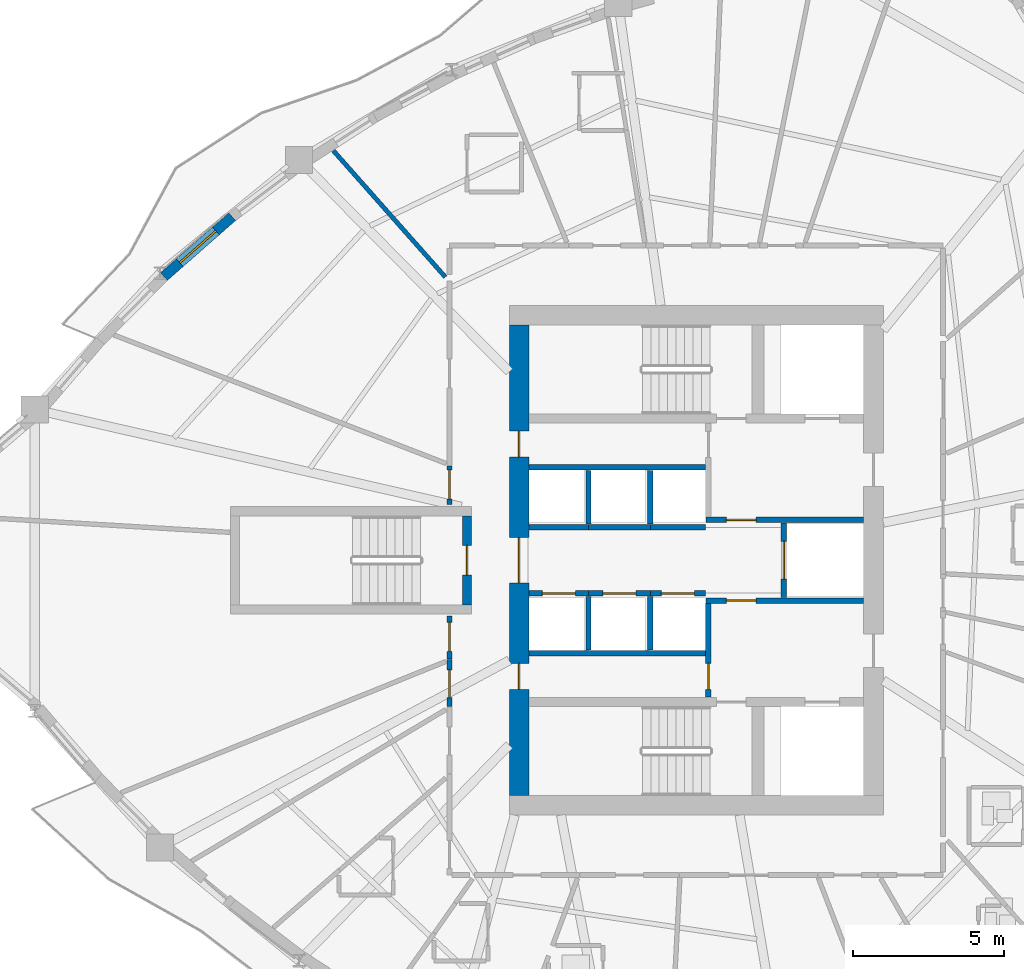
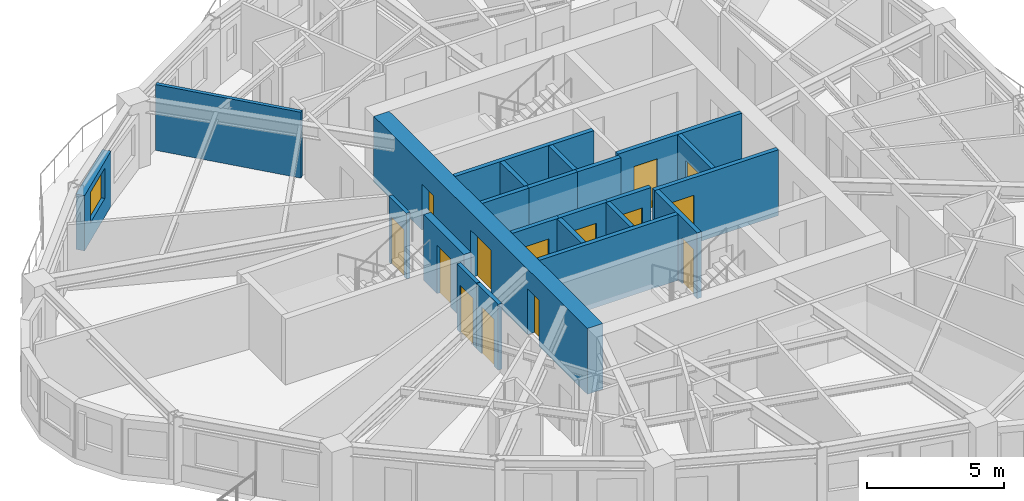
# One storey, part 5 of 13: 23 walls, 14 doors, 1 window, 15 openings.
"""IFC4 building model written with IfcOpenShell, lengths in metres."""

from ifc_helpers import new_model, si_unit, direction, frame, frame_2d, origin, place, context, subcontext, project, spatial, rectangle, extrude, source, transform, mapped, material, layer, layer_set, type_object, element, fill, save


model = new_model("IFC4")

# Units and contexts
model_context = context("Model", 3, precision=1e-05, world=origin(), true_north=direction((0.0, 1.0)))
body_context = subcontext(model_context, "Body", "Model", "MODEL_VIEW")
ifc_project = project(units=[si_unit("LENGTHUNIT", "METRE"), si_unit("AREAUNIT", "SQUARE_METRE"), si_unit("VOLUMEUNIT", "CUBIC_METRE"), si_unit("PLANEANGLEUNIT", "RADIAN"), si_unit("MASSUNIT", "GRAM", prefix="KILO")], contexts=[model_context])

# Site, building, storey
site_placement = place(None, origin())
site = spatial("IfcSite", under=ifc_project, at=site_placement, CompositionType="ELEMENT")
building_placement = place(site_placement, origin())
building = spatial("IfcBuilding", under=site, at=building_placement, Name="Qafzar Sky-Pleat Residences", CompositionType="ELEMENT")
storey_placement = place(building_placement, frame((0.0, 0.0, 105.60009765625)))
storey = spatial("IfcBuildingStorey", under=building, at=storey_placement, Name="L31", CompositionType="ELEMENT", Elevation=105.60009765625)

# Wall, opening, door
ifc_material_1 = material(Name="Acoustic gypsum plasterboard partition", Category="gypsum")
ifc_layer_1 = layer(ifc_material_1, 0.159912109375)
ifc_layer_set_1 = layer_set([ifc_layer_1], Name="Acoustic gypsum plasterboard partition")
wall_type_1 = type_object("IfcWallType", Name="PART-COR-160", PredefinedType="PARTITIONING", material=ifc_layer_set_1)
wall_1_placement = place(storey_placement, frame((22.169921875, 21.156005859375, 0.0), z_axis=(0.0, 0.0, 1.0), x_axis=(0.0, 1.0, 0.0)))
wall_1 = element("IfcWall", 1, at=wall_1_placement, inside=storey, type_object=wall_type_1, Name="L31 Partition Wall PART-L31-PW-025", PredefinedType="PARTITIONING", context=body_context, shape_type="SweptSolid", body=[
    extrude(rectangle(XDim=1.554931640625, YDim=0.159912109375, at=frame_2d((0.77734375, 0.0))), origin(), (0.0, 0.0, 1.0), 2.934814453125),
])
opening_1_placement = place(wall_1_placement, frame((0.29345703125, 0.0, 0.0)))
opening_1 = element("IfcOpeningElement", 2, at=opening_1_placement, cuts=wall_1, Name="Opening ID-04", PredefinedType="OPENING", context=body_context, shape_type="SweptSolid", body=[
    extrude(rectangle(XDim=0.919921875, YDim=2.10009765625, at=frame_2d((0.4599609375, 1.050048828125))), frame((0.0, 0.08984375, 0.0), z_axis=(0.0, -1.0, 0.0), x_axis=(1.0, 0.0, 0.0)), (0.0, 0.0, 1.0), 0.179931640625),
])
ifc_material_2 = material(Name="Timber-faced fire door", Category="wood")
door_type_1 = type_object("IfcDoorType", Name="DR-BED-920", OperationType="NOTDEFINED", PredefinedType="DOOR", material=ifc_material_2)
shared_shape_1 = source(origin(), body_context, "Body", "SweptSolid", [
    extrude(rectangle(XDim=0.919921875, YDim=2.10009765625, at=frame_2d((0.4599609375, 1.050048828125))), frame((0.0, 0.02490234375, 0.0), z_axis=(0.0, -1.0, 0.0), x_axis=(1.0, 0.0, 0.0)), (0.0, 0.0, 1.0), 0.050048828125),
])
door_1_placement = place(opening_1_placement, origin())
door_1 = element("IfcDoor", 3, at=door_1_placement, inside=storey, type_object=door_type_1, Name="L31 Co-Living Bedroom 11 Door", OperationType="SINGLE_SWING_RIGHT", OverallHeight=2.10009765625, OverallWidth=0.919921875, PredefinedType="DOOR", context=body_context, shape_type="MappedRepresentation", body=[
    mapped(shared_shape_1, transform((0.0, 0.0, 0.0), x_axis=(1.0, 0.0, 0.0), y_axis=(0.0, 1.0, 0.0), z_axis=(0.0, 0.0, 1.0), scale=1.0)),
])
fill(opening_1, door_1)

wall_2_placement = place(storey_placement, frame((22.169921875, 22.72607421875, 0.0), z_axis=(0.0, 0.0, 1.0), x_axis=(0.0, 1.0, 0.0)))
wall_2 = element("IfcWall", 4, at=wall_2_placement, inside=storey, type_object=wall_type_1, Name="L31 Partition Wall PART-L31-PW-026", PredefinedType="PARTITIONING", context=body_context, shape_type="SweptSolid", body=[
    extrude(rectangle(XDim=1.423828125, YDim=0.159912109375, at=frame_2d((0.7119140625, 0.0))), origin(), (0.0, 0.0, 1.0), 2.934814453125),
])
opening_2_placement = place(wall_2_placement, frame((0.25390625, 0.0, 0.0)))
opening_2 = element("IfcOpeningElement", 5, at=opening_2_placement, cuts=wall_2, Name="Opening ID-06", PredefinedType="OPENING", context=body_context, shape_type="SweptSolid", body=[
    extrude(rectangle(XDim=0.9599609375, YDim=2.10009765625, at=frame_2d((0.47998046875, 1.050048828125))), frame((0.0, 0.08984375, 0.0), z_axis=(0.0, -1.0, 0.0), x_axis=(1.0, 0.0, 0.0)), (0.0, 0.0, 1.0), 0.179931640625),
])
door_type_2 = type_object("IfcDoorType", Name="DR-STD-960", OperationType="NOTDEFINED", PredefinedType="DOOR", material=ifc_material_2)
shared_shape_2 = source(origin(), body_context, "Body", "SweptSolid", [
    extrude(rectangle(XDim=0.9599609375, YDim=2.10009765625, at=frame_2d((0.47998046875, 1.050048828125))), frame((0.0, 0.02490234375, 0.0), z_axis=(0.0, -1.0, 0.0), x_axis=(1.0, 0.0, 0.0)), (0.0, 0.0, 1.0), 0.050048828125),
])
door_2_placement = place(opening_2_placement, origin())
door_2 = element("IfcDoor", 6, at=door_2_placement, inside=storey, type_object=door_type_2, Name="L31 Reading Library Door", OperationType="SINGLE_SWING_LEFT", OverallHeight=2.10009765625, OverallWidth=0.9599609375, PredefinedType="DOOR", context=body_context, shape_type="MappedRepresentation", body=[
    mapped(shared_shape_2, transform((0.0, 0.0, 0.0), x_axis=(1.0, 0.0, 0.0), y_axis=(0.0, 1.0, 0.0), z_axis=(0.0, 0.0, 1.0), scale=1.0)),
])
fill(opening_2, door_2)

wall_3_placement = place(storey_placement, frame((22.169921875, 27.85009765625, 0.0), z_axis=(0.0, 0.0, 1.0), x_axis=(0.0, 1.0, 0.0)))
wall_3 = element("IfcWall", 7, at=wall_3_placement, inside=storey, type_object=wall_type_1, Name="L31 Partition Wall PART-L31-PW-028", PredefinedType="PARTITIONING", context=body_context, shape_type="SweptSolid", body=[
    extrude(rectangle(XDim=1.282958984375, YDim=0.159912109375, at=frame_2d((0.6416015625, 0.0))), origin(), (0.0, 0.0, 1.0), 2.934814453125),
])
opening_3_placement = place(wall_3_placement, frame((0.177490234375, 0.0, 0.0)))
opening_3 = element("IfcOpeningElement", 8, at=opening_3_placement, cuts=wall_3, Name="Opening ID-06", PredefinedType="OPENING", context=body_context, shape_type="SweptSolid", body=[
    extrude(rectangle(XDim=0.9599609375, YDim=2.10009765625, at=frame_2d((0.47998046875, 1.050048828125))), frame((0.0, 0.08984375, 0.0), z_axis=(0.0, -1.0, 0.0), x_axis=(1.0, 0.0, 0.0)), (0.0, 0.0, 1.0), 0.179931640625),
])
door_3_placement = place(opening_3_placement, origin())
door_3 = element("IfcDoor", 9, at=door_3_placement, inside=storey, type_object=door_type_2, Name="L31 Common Dining Room Door", OperationType="SINGLE_SWING_LEFT", OverallHeight=2.10009765625, OverallWidth=0.9599609375, PredefinedType="DOOR", context=body_context, shape_type="MappedRepresentation", body=[
    mapped(shared_shape_2, transform((0.0, 0.0, 0.0), x_axis=(1.0, 0.0, 0.0), y_axis=(0.0, 1.0, 0.0), z_axis=(0.0, 0.0, 1.0), scale=1.0)),
])
fill(opening_3, door_3)

ifc_material_3 = material(Name="Concrete blockwork partition", Category="masonry")
ifc_layer_2 = layer(ifc_material_3, 0.179931640625)
ifc_layer_set_2 = layer_set([ifc_layer_2], Name="Concrete blockwork partition")
wall_type_2 = type_object("IfcWallType", Name="PART-SHAFT-180", PredefinedType="PARTITIONING", material=ifc_layer_set_2)
wall_4_placement = place(storey_placement, frame((30.75, 21.4599609375, 0.0), z_axis=(0.0, 0.0, 1.0), x_axis=(0.0, 1.0, 0.0)))
wall_4 = element("IfcWall", 10, at=wall_4_placement, inside=storey, type_object=wall_type_2, Name="L31 Partition Wall PART-L31-FFL1-W", PredefinedType="PARTITIONING", context=body_context, shape_type="SweptSolid", body=[
    extrude(rectangle(XDim=3.110107421875, YDim=0.179931640625, at=frame_2d((1.55517578125, 0.0))), origin(), (0.0, 0.0, 1.0), 2.934814453125),
])
opening_4_placement = place(wall_4_placement, frame((0.260009765625, 0.0, 0.0)))
opening_4 = element("IfcOpeningElement", 11, at=opening_4_placement, cuts=wall_4, Name="Opening ID-09", PredefinedType="OPENING", context=body_context, shape_type="SweptSolid", body=[
    extrude(rectangle(XDim=0.860107421875, YDim=2.050048828125, at=frame_2d((0.43017578125, 1.02490234375))), frame((0.0, 0.10009765625, 0.0), z_axis=(0.0, -1.0, 0.0), x_axis=(1.0, 0.0, 0.0)), (0.0, 0.0, 1.0), 0.199951171875),
])
door_type_3 = type_object("IfcDoorType", Name="DR-SVC-860", OperationType="NOTDEFINED", PredefinedType="DOOR", material=ifc_material_2)
shared_shape_3 = source(origin(), body_context, "Body", "SweptSolid", [
    extrude(rectangle(XDim=0.860107421875, YDim=2.050048828125, at=frame_2d((0.43017578125, 1.02490234375))), frame((0.0, 0.02490234375, 0.0), z_axis=(0.0, -1.0, 0.0), x_axis=(1.0, 0.0, 0.0)), (0.0, 0.0, 1.0), 0.050048828125),
])
door_4_placement = place(opening_4_placement, origin())
door_4 = element("IfcDoor", 12, at=door_4_placement, inside=storey, type_object=door_type_3, Name="L31 South Core Cupboard Door", OperationType="SINGLE_SWING_RIGHT", OverallHeight=2.050048828125, OverallWidth=0.860107421875, PredefinedType="DOOR", context=body_context, shape_type="MappedRepresentation", body=[
    mapped(shared_shape_3, transform((0.0, 0.0, 0.0), x_axis=(1.0, 0.0, 0.0), y_axis=(0.0, 1.0, 0.0), z_axis=(0.0, 0.0, 1.0), scale=1.0)),
])
fill(opening_4, door_4)

wall_5_placement = place(storey_placement, frame((30.669921875, 24.659912109375, 0.0), z_axis=(0.0, 0.0, 1.0), x_axis=(1.0, 0.0, 0.0)))
wall_5 = element("IfcWall", 13, at=wall_5_placement, inside=storey, type_object=wall_type_2, Name="L31 Partition Wall PART-L31-FFL1-N", PredefinedType="PARTITIONING", context=body_context, shape_type="SweptSolid", body=[
    extrude(rectangle(XDim=5.219970703125, YDim=0.179931640625, at=frame_2d((2.60986328125, 0.0))), origin(), (0.0, 0.0, 1.0), 2.934814453125),
])
opening_5_placement = place(wall_5_placement, frame((0.679931640625, 0.0, 0.0)))
opening_5 = element("IfcOpeningElement", 14, at=opening_5_placement, cuts=wall_5, Name="Opening ID-01", PredefinedType="OPENING", context=body_context, shape_type="SweptSolid", body=[
    extrude(rectangle(XDim=0.97998046875, YDim=2.14990234375, at=frame_2d((0.489990234375, 1.074951171875))), frame((0.0, 0.10009765625, 0.0), z_axis=(0.0, -1.0, 0.0), x_axis=(1.0, 0.0, 0.0)), (0.0, 0.0, 1.0), 0.199951171875),
])
door_type_4 = type_object("IfcDoorType", Name="DR-STAIR-980", OperationType="NOTDEFINED", PredefinedType="DOOR", material=ifc_material_2)
shared_shape_4 = source(origin(), body_context, "Body", "SweptSolid", [
    extrude(rectangle(XDim=0.97998046875, YDim=2.14990234375, at=frame_2d((0.489990234375, 1.074951171875))), frame((0.0, 0.02490234375, 0.0), z_axis=(0.0, -1.0, 0.0), x_axis=(1.0, 0.0, 0.0)), (0.0, 0.0, 1.0), 0.050048828125),
])
door_5_placement = place(opening_5_placement, origin())
door_5 = element("IfcDoor", 15, at=door_5_placement, inside=storey, type_object=door_type_4, Name="L31 Lift Lobby to South Firefighting Lobby Door", OperationType="SINGLE_SWING_LEFT", OverallHeight=2.14990234375, OverallWidth=0.97998046875, PredefinedType="DOOR", context=body_context, shape_type="MappedRepresentation", body=[
    mapped(shared_shape_4, transform((0.0, 0.0, 0.0), x_axis=(1.0, 0.0, 0.0), y_axis=(0.0, 1.0, 0.0), z_axis=(0.0, 0.0, 1.0), scale=1.0)),
])
fill(opening_5, door_5)

wall_6_placement = place(storey_placement, frame((30.669921875, 27.340087890625, 0.0), z_axis=(0.0, 0.0, 1.0), x_axis=(1.0, 0.0, 0.0)))
wall_6 = element("IfcWall", 16, at=wall_6_placement, inside=storey, type_object=wall_type_2, Name="L31 Partition Wall PART-L31-FFL2-S", PredefinedType="PARTITIONING", context=body_context, shape_type="SweptSolid", body=[
    extrude(rectangle(XDim=5.219970703125, YDim=0.179931640625, at=frame_2d((2.60986328125, 0.0))), origin(), (0.0, 0.0, 1.0), 2.934814453125),
])
opening_6_placement = place(wall_6_placement, frame((0.679931640625, 0.0, 0.0)))
opening_6 = element("IfcOpeningElement", 17, at=opening_6_placement, cuts=wall_6, Name="Opening ID-01", PredefinedType="OPENING", context=body_context, shape_type="SweptSolid", body=[
    extrude(rectangle(XDim=0.97998046875, YDim=2.14990234375, at=frame_2d((0.489990234375, 1.074951171875))), frame((0.0, 0.10009765625, 0.0), z_axis=(0.0, -1.0, 0.0), x_axis=(1.0, 0.0, 0.0)), (0.0, 0.0, 1.0), 0.199951171875),
])
door_6_placement = place(opening_6_placement, origin())
door_6 = element("IfcDoor", 18, at=door_6_placement, inside=storey, type_object=door_type_4, Name="L31 Lift Lobby to North Firefighting Lobby Door", OperationType="SINGLE_SWING_LEFT", OverallHeight=2.14990234375, OverallWidth=0.97998046875, PredefinedType="DOOR", context=body_context, shape_type="MappedRepresentation", body=[
    mapped(shared_shape_4, transform((0.0, 0.0, 0.0), x_axis=(1.0, 0.0, 0.0), y_axis=(0.0, 1.0, 0.0), z_axis=(0.0, 0.0, 1.0), scale=1.0)),
])
fill(opening_6, door_6)

wall_7_placement = place(storey_placement, frame((33.25, 24.760009765625, 0.0), z_axis=(0.0, 0.0, 1.0), x_axis=(0.0, 1.0, 0.0)))
wall_7 = element("IfcWall", 19, at=wall_7_placement, inside=storey, type_object=wall_type_2, Name="L31 Partition Wall PART-L31-SV1-W", PredefinedType="PARTITIONING", context=body_context, shape_type="SweptSolid", body=[
    extrude(rectangle(XDim=2.47998046875, YDim=0.179931640625, at=frame_2d((1.239990234375, 0.0))), origin(), (0.0, 0.0, 1.0), 2.934814453125),
])
opening_7_placement = place(wall_7_placement, frame((0.614990234375, 0.0, 0.0)))
opening_7 = element("IfcOpeningElement", 20, at=opening_7_placement, cuts=wall_7, Name="Opening LD-03", PredefinedType="OPENING", context=body_context, shape_type="SweptSolid", body=[
    extrude(rectangle(XDim=1.25, YDim=2.14990234375, at=frame_2d((0.625, 1.074951171875))), frame((0.0, 0.10009765625, 0.0), z_axis=(0.0, -1.0, 0.0), x_axis=(1.0, 0.0, 0.0)), (0.0, 0.0, 1.0), 0.199951171875),
])
ifc_material_4 = material(Name="Stainless steel sliding landing door", Category="steel")
door_type_5 = type_object("IfcDoorType", Name="DR-LIFT-SV", OperationType="DOUBLE_DOOR_SLIDING", PredefinedType="DOOR", material=ifc_material_4)
shared_shape_5 = source(origin(), body_context, "Body", "SweptSolid", [
    extrude(rectangle(XDim=1.25, YDim=2.14990234375, at=frame_2d((0.625, 1.074951171875))), frame((0.0, 0.02490234375, 0.0), z_axis=(0.0, -1.0, 0.0), x_axis=(1.0, 0.0, 0.0)), (0.0, 0.0, 1.0), 0.050048828125),
])
door_7_placement = place(opening_7_placement, origin())
door_7 = element("IfcDoor", 21, at=door_7_placement, inside=storey, type_object=door_type_5, Name="L31 Service Lift SV1 Landing Door", OperationType="DOUBLE_DOOR_SLIDING", OverallHeight=2.14990234375, OverallWidth=1.25, PredefinedType="DOOR", context=body_context, shape_type="MappedRepresentation", body=[
    mapped(shared_shape_5, transform((0.0, 0.0, 0.0), x_axis=(1.0, 0.0, 0.0), y_axis=(0.0, 1.0, 0.0), z_axis=(0.0, 0.0, 1.0), scale=1.0)),
])
fill(opening_7, door_7)

# Wall
wall_8_placement = place(storey_placement, frame((24.81005859375, 22.919921875, 0.0), z_axis=(0.0, 0.0, 1.0), x_axis=(1.0, 0.0, 0.0)))
element("IfcWall", 22, at=wall_8_placement, inside=storey, type_object=wall_type_2, Name="L31 Partition Wall PART-L31-P13-S", PredefinedType="PARTITIONING", context=body_context, shape_type="SweptSolid", body=[
    extrude(rectangle(XDim=5.83984375, YDim=0.179931640625, at=frame_2d((2.919921875, 0.0))), origin(), (0.0, 0.0, 1.0), 2.934814453125),
])

# Wall, opening, door
wall_9_placement = place(storey_placement, frame((24.81005859375, 24.89990234375, 0.0), z_axis=(0.0, 0.0, 1.0), x_axis=(1.0, 0.0, 0.0)))
wall_9 = element("IfcWall", 23, at=wall_9_placement, inside=storey, type_object=wall_type_2, Name="L31 Partition Wall PART-L31-P1-N", PredefinedType="PARTITIONING", context=body_context, shape_type="SweptSolid", body=[
    extrude(rectangle(XDim=1.96484375, YDim=0.179931640625, at=frame_2d((0.982421875, 0.0))), origin(), (0.0, 0.0, 1.0), 2.934814453125),
])
opening_8_placement = place(wall_9_placement, frame((0.4326171875, 0.0, 0.0)))
opening_8 = element("IfcOpeningElement", 24, at=opening_8_placement, cuts=wall_9, Name="Opening LD-01", PredefinedType="OPENING", context=body_context, shape_type="SweptSolid", body=[
    extrude(rectangle(XDim=1.10009765625, YDim=2.14990234375, at=frame_2d((0.550048828125, 1.074951171875))), frame((0.0, 0.10009765625, 0.0), z_axis=(0.0, -1.0, 0.0), x_axis=(1.0, 0.0, 0.0)), (0.0, 0.0, 1.0), 0.199951171875),
])
door_type_6 = type_object("IfcDoorType", Name="DR-LIFT-P", OperationType="DOUBLE_DOOR_SLIDING", PredefinedType="DOOR", material=ifc_material_4)
shared_shape_6 = source(origin(), body_context, "Body", "SweptSolid", [
    extrude(rectangle(XDim=1.10009765625, YDim=2.14990234375, at=frame_2d((0.550048828125, 1.074951171875))), frame((0.0, 0.02490234375, 0.0), z_axis=(0.0, -1.0, 0.0), x_axis=(1.0, 0.0, 0.0)), (0.0, 0.0, 1.0), 0.050048828125),
])
door_8_placement = place(opening_8_placement, origin())
door_8 = element("IfcDoor", 25, at=door_8_placement, inside=storey, type_object=door_type_6, Name="L31 Passenger Lift P1 Landing Door", OperationType="DOUBLE_DOOR_SLIDING", OverallHeight=2.14990234375, OverallWidth=1.10009765625, PredefinedType="DOOR", context=body_context, shape_type="MappedRepresentation", body=[
    mapped(shared_shape_6, transform((0.0, 0.0, 0.0), x_axis=(1.0, 0.0, 0.0), y_axis=(0.0, 1.0, 0.0), z_axis=(0.0, 0.0, 1.0), scale=1.0)),
])
fill(opening_8, door_8)

wall_10_placement = place(storey_placement, frame((26.77490234375, 24.89990234375, 0.0), z_axis=(0.0, 0.0, 1.0), x_axis=(1.0, 0.0, 0.0)))
wall_10 = element("IfcWall", 26, at=wall_10_placement, inside=storey, type_object=wall_type_2, Name="L31 Partition Wall PART-L31-P2-N", PredefinedType="PARTITIONING", context=body_context, shape_type="SweptSolid", body=[
    extrude(rectangle(XDim=2.050048828125, YDim=0.179931640625, at=frame_2d((1.02490234375, 0.0))), origin(), (0.0, 0.0, 1.0), 2.934814453125),
])
opening_9_placement = place(wall_10_placement, frame((0.47509765625, 0.0, 0.0)))
opening_9 = element("IfcOpeningElement", 27, at=opening_9_placement, cuts=wall_10, Name="Opening LD-01", PredefinedType="OPENING", context=body_context, shape_type="SweptSolid", body=[
    extrude(rectangle(XDim=1.10009765625, YDim=2.14990234375, at=frame_2d((0.550048828125, 1.074951171875))), frame((0.0, 0.10009765625, 0.0), z_axis=(0.0, -1.0, 0.0), x_axis=(1.0, 0.0, 0.0)), (0.0, 0.0, 1.0), 0.199951171875),
])
door_9_placement = place(opening_9_placement, origin())
door_9 = element("IfcDoor", 28, at=door_9_placement, inside=storey, type_object=door_type_6, Name="L31 Passenger Lift P2 Landing Door", OperationType="DOUBLE_DOOR_SLIDING", OverallHeight=2.14990234375, OverallWidth=1.10009765625, PredefinedType="DOOR", context=body_context, shape_type="MappedRepresentation", body=[
    mapped(shared_shape_6, transform((0.0, 0.0, 0.0), x_axis=(1.0, 0.0, 0.0), y_axis=(0.0, 1.0, 0.0), z_axis=(0.0, 0.0, 1.0), scale=1.0)),
])
fill(opening_9, door_9)

# Wall
wall_11_placement = place(storey_placement, frame((26.77490234375, 23.02001953125, 0.0), z_axis=(0.0, 0.0, 1.0), x_axis=(0.0, 1.0, 0.0)))
element("IfcWall", 29, at=wall_11_placement, inside=storey, type_object=wall_type_2, Name="L31 Partition Wall PART-L31-P13-DIV-1", PredefinedType="PARTITIONING", context=body_context, shape_type="SweptSolid", body=[
    extrude(rectangle(XDim=1.780029296875, YDim=0.179931640625, at=frame_2d((0.89013671875, 0.0))), origin(), (0.0, 0.0, 1.0), 2.934814453125),
])

# Wall, opening, door
wall_12_placement = place(storey_placement, frame((28.824951171875, 24.89990234375, 0.0), z_axis=(0.0, 0.0, 1.0), x_axis=(1.0, 0.0, 0.0)))
wall_12 = element("IfcWall", 30, at=wall_12_placement, inside=storey, type_object=wall_type_2, Name="L31 Partition Wall PART-L31-P3-N", PredefinedType="PARTITIONING", context=body_context, shape_type="SweptSolid", body=[
    extrude(rectangle(XDim=1.824951171875, YDim=0.179931640625, at=frame_2d((0.91259765625, 0.0))), origin(), (0.0, 0.0, 1.0), 2.934814453125),
])
opening_10_placement = place(wall_12_placement, frame((0.362548828125, 0.0, 0.0)))
opening_10 = element("IfcOpeningElement", 31, at=opening_10_placement, cuts=wall_12, Name="Opening LD-01", PredefinedType="OPENING", context=body_context, shape_type="SweptSolid", body=[
    extrude(rectangle(XDim=1.10009765625, YDim=2.14990234375, at=frame_2d((0.550048828125, 1.074951171875))), frame((0.0, 0.10009765625, 0.0), z_axis=(0.0, -1.0, 0.0), x_axis=(1.0, 0.0, 0.0)), (0.0, 0.0, 1.0), 0.199951171875),
])
door_10_placement = place(opening_10_placement, origin())
door_10 = element("IfcDoor", 32, at=door_10_placement, inside=storey, type_object=door_type_6, Name="L31 Passenger Lift P3 Landing Door", OperationType="DOUBLE_DOOR_SLIDING", OverallHeight=2.14990234375, OverallWidth=1.10009765625, PredefinedType="DOOR", context=body_context, shape_type="MappedRepresentation", body=[
    mapped(shared_shape_6, transform((0.0, 0.0, 0.0), x_axis=(1.0, 0.0, 0.0), y_axis=(0.0, 1.0, 0.0), z_axis=(0.0, 0.0, 1.0), scale=1.0)),
])
fill(opening_10, door_10)

# Walls
wall_13_placement = place(storey_placement, frame((28.824951171875, 23.02001953125, 0.0), z_axis=(0.0, 0.0, 1.0), x_axis=(0.0, 1.0, 0.0)))
element("IfcWall", 33, at=wall_13_placement, inside=storey, type_object=wall_type_2, Name="L31 Partition Wall PART-L31-P13-DIV-2", PredefinedType="PARTITIONING", context=body_context, shape_type="SweptSolid", body=[
    extrude(rectangle(XDim=1.780029296875, YDim=0.179931640625, at=frame_2d((0.89013671875, 0.0))), origin(), (0.0, 0.0, 1.0), 2.934814453125),
])
wall_14_placement = place(storey_placement, frame((24.81005859375, 29.080078125, 0.0), z_axis=(0.0, 0.0, 1.0), x_axis=(1.0, 0.0, 0.0)))
element("IfcWall", 34, at=wall_14_placement, inside=storey, type_object=wall_type_2, Name="L31 Partition Wall PART-L31-P46-N", PredefinedType="PARTITIONING", context=body_context, shape_type="SweptSolid", body=[
    extrude(rectangle(XDim=5.83984375, YDim=0.179931640625, at=frame_2d((2.919921875, 0.0))), origin(), (0.0, 0.0, 1.0), 2.934814453125),
])
wall_15_placement = place(storey_placement, frame((24.81005859375, 27.10009765625, 0.0), z_axis=(0.0, 0.0, 1.0), x_axis=(1.0, 0.0, 0.0)))
element("IfcWall", 35, at=wall_15_placement, inside=storey, type_object=wall_type_2, Name="L31 Partition Wall PART-L31-P4-S", PredefinedType="PARTITIONING", context=body_context, shape_type="SweptSolid", body=[
    extrude(rectangle(XDim=1.96484375, YDim=0.179931640625, at=frame_2d((0.982421875, 0.0))), origin(), (0.0, 0.0, 1.0), 2.934814453125),
])
wall_16_placement = place(storey_placement, frame((26.77490234375, 27.10009765625, 0.0), z_axis=(0.0, 0.0, 1.0), x_axis=(1.0, 0.0, 0.0)))
element("IfcWall", 36, at=wall_16_placement, inside=storey, type_object=wall_type_2, Name="L31 Partition Wall PART-L31-P5-S", PredefinedType="PARTITIONING", context=body_context, shape_type="SweptSolid", body=[
    extrude(rectangle(XDim=2.050048828125, YDim=0.179931640625, at=frame_2d((1.02490234375, 0.0))), origin(), (0.0, 0.0, 1.0), 2.934814453125),
])
wall_17_placement = place(storey_placement, frame((26.77490234375, 27.199951171875, 0.0), z_axis=(0.0, 0.0, 1.0), x_axis=(0.0, 1.0, 0.0)))
element("IfcWall", 37, at=wall_17_placement, inside=storey, type_object=wall_type_2, Name="L31 Partition Wall PART-L31-P46-DIV-1", PredefinedType="PARTITIONING", context=body_context, shape_type="SweptSolid", body=[
    extrude(rectangle(XDim=1.780029296875, YDim=0.179931640625, at=frame_2d((0.89013671875, 0.0))), origin(), (0.0, 0.0, 1.0), 2.934814453125),
])
wall_18_placement = place(storey_placement, frame((28.824951171875, 27.10009765625, 0.0), z_axis=(0.0, 0.0, 1.0), x_axis=(1.0, 0.0, 0.0)))
element("IfcWall", 38, at=wall_18_placement, inside=storey, type_object=wall_type_2, Name="L31 Partition Wall PART-L31-P6-S", PredefinedType="PARTITIONING", context=body_context, shape_type="SweptSolid", body=[
    extrude(rectangle(XDim=1.824951171875, YDim=0.179931640625, at=frame_2d((0.91259765625, 0.0))), origin(), (0.0, 0.0, 1.0), 2.934814453125),
])
wall_19_placement = place(storey_placement, frame((28.824951171875, 27.199951171875, 0.0), z_axis=(0.0, 0.0, 1.0), x_axis=(0.0, 1.0, 0.0)))
element("IfcWall", 39, at=wall_19_placement, inside=storey, type_object=wall_type_2, Name="L31 Partition Wall PART-L31-P46-DIV-2", PredefinedType="PARTITIONING", context=body_context, shape_type="SweptSolid", body=[
    extrude(rectangle(XDim=1.780029296875, YDim=0.179931640625, at=frame_2d((0.89013671875, 0.0))), origin(), (0.0, 0.0, 1.0), 2.934814453125),
])
ifc_layer_3 = layer(ifc_material_1, 0.14501953125)
ifc_layer_set_3 = layer_set([ifc_layer_3], Name="Acoustic gypsum plasterboard partition")
wall_type_3 = type_object("IfcWallType", Name="PART-UNIT-145", PredefinedType="PARTITIONING", material=ifc_layer_set_3)
wall_20_placement = place(storey_placement, frame((18.319580078125, 39.576904296875, 0.0), z_axis=(0.0, 0.0, 1.0), x_axis=(0.663149796684, -0.748486704731, 0.0)))
element("IfcWall", 40, at=wall_20_placement, inside=storey, type_object=wall_type_3, Name="L31 Partition Wall PART-L31-PW-047", PredefinedType="PARTITIONING", context=body_context, shape_type="SweptSolid", body=[
    extrude(rectangle(XDim=5.595947265625, YDim=0.14501953125, at=frame_2d((2.7978515625, 0.0))), origin(), (0.0, 0.0, 1.0), 2.934814453125),
])

# Wall, opening, window
ifc_material_5 = material(Name="Precast concrete C40/50 with honed Riyadh limestone", Category="concrete")
ifc_layer_4 = layer(ifc_material_5, 0.340087890625)
ifc_layer_set_4 = layer_set([ifc_layer_4], Name="Precast concrete C40/50 with honed Riyadh limestone")
wall_type_4 = type_object("IfcWallType", Name="WALL-EXT-340", PredefinedType="SOLIDWALL", material=ifc_layer_set_4)
wall_21_placement = place(storey_placement, frame((14.962890625, 37.390380859375, 0.0), z_axis=(0.0, 0.0, 1.0), x_axis=(-0.751504986612, -0.659727409691, 0.0)))
wall_21 = element("IfcWall", 41, at=wall_21_placement, inside=storey, type_object=wall_type_4, Name="L31 Limestone Facade Wall 46", PredefinedType="SOLIDWALL", context=body_context, shape_type="SweptSolid", body=[
    extrude(rectangle(XDim=3.008544921875, YDim=0.340087890625, at=frame_2d((1.50439453125, 0.0))), origin(), (0.0, 0.0, 1.0), 2.46484375),
])
opening_11_placement = place(wall_21_placement, frame((0.71435546875, 0.0, 0.820068359375)))
opening_11 = element("IfcOpeningElement", 42, at=opening_11_placement, cuts=wall_21, Name="Opening WN-09", PredefinedType="OPENING", context=body_context, shape_type="SweptSolid", body=[
    extrude(rectangle(XDim=1.60009765625, YDim=1.35009765625, at=frame_2d((0.800048828125, 0.675048828125))), frame((0.0, 0.18017578125, 0.0), z_axis=(0.0, -1.0, 0.0), x_axis=(1.0, 0.0, 0.0)), (0.0, 0.0, 1.0), 0.360107421875),
])
ifc_material_6 = material(Name="Solar-control low-E glass in bronze aluminium frame", Category="glass")
window_type = type_object("IfcWindowType", Name="WIN-09", PartitioningType="DOUBLE_PANEL_VERTICAL", PredefinedType="WINDOW", material=ifc_material_6)
shared_shape_7 = source(origin(), body_context, "Body", "SweptSolid", [
    extrude(rectangle(XDim=1.60009765625, YDim=1.35009765625, at=frame_2d((0.800048828125, 0.675048828125))), frame((0.0, 0.030029296875, 0.0), z_axis=(0.0, -1.0, 0.0), x_axis=(1.0, 0.0, 0.0)), (0.0, 0.0, 1.0), 0.06005859375),
])
window_placement = place(opening_11_placement, origin())
window = element("IfcWindow", 43, at=window_placement, inside=storey, type_object=window_type, Name="L31 Punched Facade Window 46", OverallHeight=1.35009765625, OverallWidth=1.60009765625, PartitioningType="SINGLE_PANEL", PredefinedType="WINDOW", context=body_context, shape_type="MappedRepresentation", body=[
    mapped(shared_shape_7, transform((0.0, 0.0, 0.0), x_axis=(1.0, 0.0, 0.0), y_axis=(0.0, 1.0, 0.0), z_axis=(0.0, 0.0, 1.0), scale=1.0)),
])
fill(opening_11, window)

# Wall, opening, door
ifc_material_7 = material(Name="Concrete C60/75", Category="concrete")
ifc_layer_5 = layer(ifc_material_7, 0.300048828125)
ifc_layer_set_5 = layer_set([ifc_layer_5], Name="Concrete C60/75")
wall_type_5 = type_object("IfcWallType", Name="WALL-SHEAR-300", PredefinedType="SHEAR", material=ifc_layer_set_5)
wall_22_placement = place(storey_placement, frame((22.75, 24.52490234375, 0.0), z_axis=(0.0, 0.0, 1.0), x_axis=(0.0, 1.0, 0.0)))
wall_22 = element("IfcWall", 44, at=wall_22_placement, inside=storey, type_object=wall_type_5, Name="L31 ST3 wall E", PredefinedType="SHEAR", context=body_context, shape_type="SweptSolid", body=[
    extrude(rectangle(XDim=2.9501953125, YDim=0.300048828125, at=frame_2d((1.47509765625, 0.0))), origin(), (0.0, 0.0, 1.0), 2.934814453125),
])
opening_12_placement = place(wall_22_placement, frame((0.985107421875, 0.0, 0.0)))
opening_12 = element("IfcOpeningElement", 45, at=opening_12_placement, cuts=wall_22, Name="Opening ID-01", PredefinedType="OPENING", context=body_context, shape_type="SweptSolid", body=[
    extrude(rectangle(XDim=0.97998046875, YDim=2.14990234375, at=frame_2d((0.489990234375, 1.074951171875))), frame((0.0, 0.16015625, 0.0), z_axis=(0.0, -1.0, 0.0), x_axis=(1.0, 0.0, 0.0)), (0.0, 0.0, 1.0), 0.320068359375),
])
door_11_placement = place(opening_12_placement, origin())
door_11 = element("IfcDoor", 46, at=door_11_placement, inside=storey, type_object=door_type_4, Name="L31 Stair ST3 Fire Door", OperationType="SINGLE_SWING_LEFT", OverallHeight=2.14990234375, OverallWidth=0.97998046875, PredefinedType="DOOR", context=body_context, shape_type="MappedRepresentation", body=[
    mapped(shared_shape_4, transform((0.0, 0.0, 0.0), x_axis=(1.0, 0.0, 0.0), y_axis=(0.0, 1.0, 0.0), z_axis=(0.0, 0.0, 1.0), scale=1.0)),
])
fill(opening_12, door_11)

# Wall, openings, doors
ifc_layer_6 = layer(ifc_material_7, 0.64990234375)
ifc_layer_set_6 = layer_set([ifc_layer_6], Name="Concrete C60/75")
wall_type_6 = type_object("IfcWallType", Name="WALL-SHEAR-650", PredefinedType="SHEAR", material=ifc_layer_set_6)
wall_23_placement = place(storey_placement, frame((24.47509765625, 33.800048828125, 0.0), z_axis=(0.0, 0.0, 1.0), x_axis=(0.0, -1.0, 0.0)))
wall_23 = element("IfcWall", 47, at=wall_23_placement, inside=storey, type_object=wall_type_6, Name="L31 CORE wall W", PredefinedType="SHEAR", context=body_context, shape_type="SweptSolid", body=[
    extrude(rectangle(XDim=15.60009765625, YDim=0.64990234375, at=frame_2d((7.800048828125, 0.0))), origin(), (0.0, 0.0, 1.0), 2.934814453125),
])
opening_13_placement = place(wall_23_placement, frame((7.050048828125, 0.0, 0.0)))
opening_13 = element("IfcOpeningElement", 48, at=opening_13_placement, cuts=wall_23, Name="Opening ID-03", PredefinedType="OPENING", context=body_context, shape_type="SweptSolid", body=[
    extrude(rectangle(XDim=1.5, YDim=2.14990234375, at=frame_2d((0.75, 1.074951171875))), frame((0.0, 0.3349609375, 0.0), z_axis=(0.0, -1.0, 0.0), x_axis=(1.0, 0.0, 0.0)), (0.0, 0.0, 1.0), 0.669921875),
])
opening_14_placement = place(wall_23_placement, frame((3.52001953125, 0.0, 0.0)))
opening_14 = element("IfcOpeningElement", 49, at=opening_14_placement, cuts=wall_23, Name="Opening ID-09", PredefinedType="OPENING", context=body_context, shape_type="SweptSolid", body=[
    extrude(rectangle(XDim=0.860107421875, YDim=2.050048828125, at=frame_2d((0.43017578125, 1.02490234375))), frame((0.0, 0.3349609375, 0.0), z_axis=(0.0, -1.0, 0.0), x_axis=(1.0, 0.0, 0.0)), (0.0, 0.0, 1.0), 0.669921875),
])
opening_15_placement = place(wall_23_placement, frame((11.219970703125, 0.0, 0.0)))
opening_15 = element("IfcOpeningElement", 50, at=opening_15_placement, cuts=wall_23, Name="Opening ID-09", PredefinedType="OPENING", context=body_context, shape_type="SweptSolid", body=[
    extrude(rectangle(XDim=0.860107421875, YDim=2.050048828125, at=frame_2d((0.43017578125, 1.02490234375))), frame((0.0, 0.3349609375, 0.0), z_axis=(0.0, -1.0, 0.0), x_axis=(1.0, 0.0, 0.0)), (0.0, 0.0, 1.0), 0.669921875),
])
door_type_7 = type_object("IfcDoorType", Name="DR-COR-1500", OperationType="DOUBLE_DOOR_SINGLE_SWING", PredefinedType="DOOR", material=ifc_material_2)
shared_shape_8 = source(origin(), body_context, "Body", "SweptSolid", [
    extrude(rectangle(XDim=1.5, YDim=2.14990234375, at=frame_2d((0.75, 1.074951171875))), frame((0.0, 0.02490234375, 0.0), z_axis=(0.0, -1.0, 0.0), x_axis=(1.0, 0.0, 0.0)), (0.0, 0.0, 1.0), 0.050048828125),
])
door_12_placement = place(opening_13_placement, origin())
door_12 = element("IfcDoor", 51, at=door_12_placement, inside=storey, type_object=door_type_7, Name="L31 Lift Lobby West Double Door", OperationType="DOUBLE_DOOR_SINGLE_SWING", OverallHeight=2.14990234375, OverallWidth=1.5, PredefinedType="DOOR", context=body_context, shape_type="MappedRepresentation", body=[
    mapped(shared_shape_8, transform((0.0, 0.0, 0.0), x_axis=(1.0, 0.0, 0.0), y_axis=(0.0, 1.0, 0.0), z_axis=(0.0, 0.0, 1.0), scale=1.0)),
])
fill(opening_13, door_12)
door_13_placement = place(opening_14_placement, origin())
door_13 = element("IfcDoor", 52, at=door_13_placement, inside=storey, type_object=door_type_3, Name="L31 Core North-West Service Door", OperationType="SINGLE_SWING_RIGHT", OverallHeight=2.050048828125, OverallWidth=0.860107421875, PredefinedType="DOOR", context=body_context, shape_type="MappedRepresentation", body=[
    mapped(shared_shape_3, transform((0.0, 0.0, 0.0), x_axis=(1.0, 0.0, 0.0), y_axis=(0.0, 1.0, 0.0), z_axis=(0.0, 0.0, 1.0), scale=1.0)),
])
fill(opening_14, door_13)
door_14_placement = place(opening_15_placement, origin())
door_14 = element("IfcDoor", 53, at=door_14_placement, inside=storey, type_object=door_type_3, Name="L31 Core South-West Service Door", OperationType="SINGLE_SWING_LEFT", OverallHeight=2.050048828125, OverallWidth=0.860107421875, PredefinedType="DOOR", context=body_context, shape_type="MappedRepresentation", body=[
    mapped(shared_shape_3, transform((0.0, 0.0, 0.0), x_axis=(1.0, 0.0, 0.0), y_axis=(0.0, 1.0, 0.0), z_axis=(0.0, 0.0, 1.0), scale=1.0)),
])
fill(opening_15, door_14)

save(model, "model.ifc")
